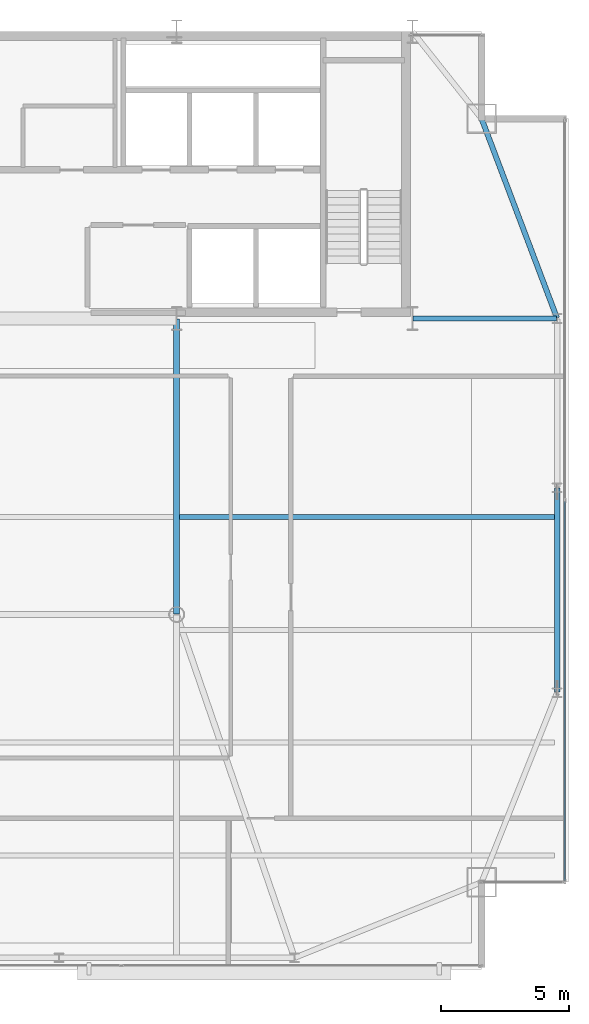
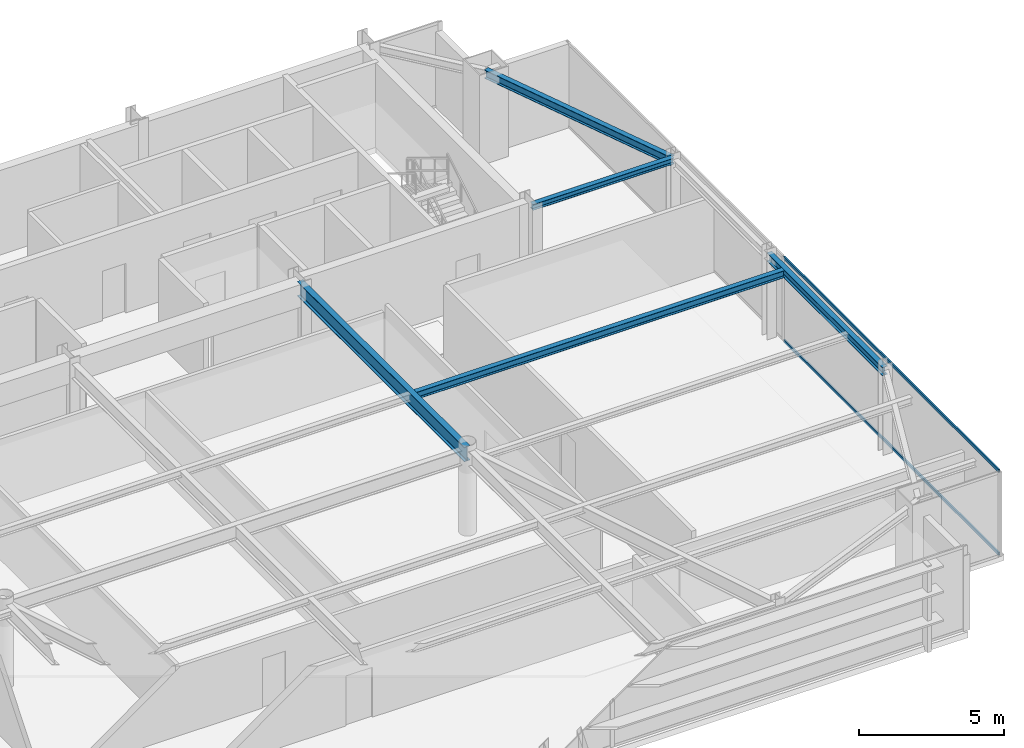
# One storey, part 14 of 25: 5 beams, 2 members, 1 element without a shape of its own.
"""IFC4 building model written with IfcOpenShell, lengths in metres."""

from ifc_helpers import new_model, si_unit, direction, frame, origin, origin_2d, place, context, subcontext, project, spatial, hollow_rectangle, i_section, extrude, source, transform, mapped, material, layer, layer_set, material_profile, profile_set, type_object, type_shapes, element, aggregate, save


model = new_model("IFC4")

# Units and contexts
model_context = context("Model", 3, precision=1e-05, world=origin(), true_north=direction((0.0, 1.0)))
body_context = subcontext(model_context, "Body", "Model", "MODEL_VIEW")
ifc_project = project(units=[si_unit("LENGTHUNIT", "METRE"), si_unit("AREAUNIT", "SQUARE_METRE"), si_unit("VOLUMEUNIT", "CUBIC_METRE"), si_unit("PLANEANGLEUNIT", "RADIAN"), si_unit("MASSUNIT", "GRAM", prefix="KILO")], contexts=[model_context])

# Site, building, storey
site_placement = place(None, origin())
site = spatial("IfcSite", under=ifc_project, at=site_placement, CompositionType="ELEMENT")
building_placement = place(site_placement, origin())
building = spatial("IfcBuilding", under=site, at=building_placement, Name="Varnel Quay Broadcast Tower", CompositionType="ELEMENT")
storey_placement = place(building_placement, frame((0.0, 0.0, 226.39990234375)))
storey = spatial("IfcBuildingStorey", under=building, at=storey_placement, Name="L56", CompositionType="ELEMENT", Elevation=226.39990234375)

# Beams
ifc_material_1 = material(Name="Structural Steel CSA G40.21 350W", Category="steel")
ifc_material_profile_1 = material_profile(ifc_material_1, i_section(OverallWidth=0.205078125, OverallDepth=0.35400390625, WebThickness=0.009521484375, FlangeThickness=0.016845703125, FilletRadius=0.012939453125, at=origin_2d()), Name="W360X79")
ifc_profile_set_1 = profile_set([ifc_material_profile_1], Name="Structural Steel CSA G40.21 350W")
beam_type_1 = type_object("IfcBeamType", Name="Beam_W360X79", PredefinedType="SPANDREL", material=ifc_profile_set_1)
shared_shape_1 = source(origin(), body_context, "Body", "SweptSolid", [
    extrude(i_section(OverallWidth=0.205078125, OverallDepth=0.35400390625, WebThickness=0.009521484375, FlangeThickness=0.016845703125, FilletRadius=0.012939453125, at=origin_2d()), origin(), (0.0, 0.0, 1.0), 7.9599609375),
])
beam_1_placement = place(storey_placement, frame((58.050048828125, 21.02001953125, 3.373046875), z_axis=(0.0, 1.0, 0.0), x_axis=(-1.0, 0.0, 0.0)))
element("IfcBeam", 1, at=beam_1_placement, inside=storey, type_object=beam_type_1, Name="L56 East Spandrel TC-E1-TC-E2", PredefinedType="SPANDREL", context=body_context, shape_type="MappedRepresentation", body=[
    mapped(shared_shape_1, transform((0.0, 0.0, 0.0), x_axis=(1.0, 0.0, 0.0), y_axis=(0.0, 1.0, 0.0), z_axis=(0.0, 0.0, 1.0), scale=1.0)),
])
shared_shape_2 = source(origin(), body_context, "Body", "SweptSolid", [
    extrude(i_section(OverallWidth=0.205078125, OverallDepth=0.35400390625, WebThickness=0.009521484375, FlangeThickness=0.016845703125, FilletRadius=0.012939453125, at=origin_2d()), origin(), (0.0, 0.0, 1.0), 8.29931640625),
])
type_shapes(beam_type_1, [shared_shape_1, shared_shape_2])
beam_2_placement = place(storey_placement, frame((58.04296875, 35.61865234375, 3.373046875), z_axis=(-0.353739782058, 0.935343876117, 0.0), x_axis=(-0.935343876117, -0.353739782058, 0.0)))
element("IfcBeam", 2, at=beam_2_placement, inside=storey, type_object=beam_type_1, Name="L56 East Spandrel TC-E3-MC-NE", PredefinedType="SPANDREL", context=body_context, shape_type="MappedRepresentation", body=[
    mapped(shared_shape_2, transform((0.0, 0.0, 0.0), x_axis=(1.0, 0.0, 0.0), y_axis=(0.0, 1.0, 0.0), z_axis=(0.0, 0.0, 1.0), scale=1.0)),
])
ifc_material_profile_2 = material_profile(ifc_material_1, i_section(OverallWidth=0.22998046875, OverallDepth=0.616943359375, WebThickness=0.01318359375, FlangeThickness=0.022216796875, FilletRadius=0.01611328125, at=origin_2d()), Name="W610X140")
ifc_profile_set_2 = profile_set([ifc_material_profile_2], Name="Structural Steel CSA G40.21 350W")
beam_type_2 = type_object("IfcBeamType", Name="Girder_W610X140", PredefinedType="BEAM", material=ifc_profile_set_2)
shared_shape_3 = source(origin(), body_context, "Body", "SweptSolid", [
    extrude(i_section(OverallWidth=0.22998046875, OverallDepth=0.616943359375, WebThickness=0.01318359375, FlangeThickness=0.022216796875, FilletRadius=0.01611328125, at=origin_2d()), origin(), (0.0, 0.0, 1.0), 11.510009765625),
])
type_shapes(beam_type_2, [shared_shape_3])
beam_3_placement = place(storey_placement, frame((43.199951171875, 24.070068359375, 3.24169921875), z_axis=(0.0, 1.0, 0.0), x_axis=(-1.0, 0.0, 0.0)))
element("IfcBeam", 3, at=beam_3_placement, inside=storey, type_object=beam_type_2, Name="L56 Primary Girder IC-02-CC-S4", PredefinedType="BEAM", context=body_context, shape_type="MappedRepresentation", body=[
    mapped(shared_shape_3, transform((0.0, 0.0, 0.0), x_axis=(1.0, 0.0, 0.0), y_axis=(0.0, 1.0, 0.0), z_axis=(0.0, 0.0, 1.0), scale=1.0)),
])
ifc_material_profile_3 = material_profile(ifc_material_1, i_section(OverallWidth=0.201904296875, OverallDepth=0.2470703125, WebThickness=0.00732421875, FlangeThickness=0.010986328125, FilletRadius=0.010986328125, at=origin_2d()), Name="W250X49")
ifc_profile_set_3 = profile_set([ifc_material_profile_3], Name="Structural Steel CSA G40.21 350W")
beam_type_3 = type_object("IfcBeamType", Name="Beam_W250X49", PredefinedType="JOIST", material=ifc_profile_set_3)
shared_shape_4 = source(origin(), body_context, "Body", "SweptSolid", [
    extrude(i_section(OverallWidth=0.201904296875, OverallDepth=0.2470703125, WebThickness=0.00732421875, FlangeThickness=0.010986328125, FilletRadius=0.010986328125, at=origin_2d()), origin(), (0.0, 0.0, 1.0), 5.610107421875),
])
type_shapes(beam_type_3, [shared_shape_4])
beam_4_placement = place(storey_placement, frame((52.419921875, 35.60009765625, 3.426513671875), z_axis=(1.0, 0.0, 0.0), x_axis=(0.0, 1.0, 0.0)))
element("IfcBeam", 4, at=beam_4_placement, inside=storey, type_object=beam_type_3, Name="L56 East Core Tie Joist", PredefinedType="JOIST", context=body_context, shape_type="MappedRepresentation", body=[
    mapped(shared_shape_4, transform((0.0, 0.0, 0.0), x_axis=(1.0, 0.0, 0.0), y_axis=(0.0, 1.0, 0.0), z_axis=(0.0, 0.0, 1.0), scale=1.0)),
])
ifc_material_profile_4 = material_profile(ifc_material_1, i_section(OverallWidth=0.202880859375, OverallDepth=0.302978515625, WebThickness=0.007568359375, FlangeThickness=0.01318359375, FilletRadius=0.011962890625, at=origin_2d()), Name="W310X60")
ifc_profile_set_4 = profile_set([ifc_material_profile_4], Name="Structural Steel CSA G40.21 350W")
beam_type_4 = type_object("IfcBeamType", Name="Beam_W310X60", PredefinedType="JOIST", material=ifc_profile_set_4)
shared_shape_5 = source(origin(), body_context, "Body", "SweptSolid", [
    extrude(i_section(OverallWidth=0.202880859375, OverallDepth=0.302978515625, WebThickness=0.007568359375, FlangeThickness=0.01318359375, FilletRadius=0.011962890625, at=origin_2d()), origin(), (0.0, 0.0, 1.0), 14.642333984375),
])
type_shapes(beam_type_4, [shared_shape_5])
beam_5_placement = place(storey_placement, frame((43.31005859375, 27.85009765625, 3.398681640625), z_axis=(1.0, 0.0, 0.0), x_axis=(0.0, 1.0, 0.0)))
element("IfcBeam", 5, at=beam_5_placement, inside=storey, type_object=beam_type_4, Name="L56 East Floor Joist 4", PredefinedType="JOIST", context=body_context, shape_type="MappedRepresentation", body=[
    mapped(shared_shape_5, transform((0.0, 0.0, 0.0), x_axis=(1.0, 0.0, 0.0), y_axis=(0.0, 1.0, 0.0), z_axis=(0.0, 0.0, 1.0), scale=1.0)),
])

# Curtain wall, members
ifc_material_2 = material(Name="Anodised Bronze Aluminium 6063-T6", Category="aluminium")
ifc_layer = layer(ifc_material_2, 0.18994140625, Name="Anodised Bronze Aluminium 6063-T6")
ifc_layer_set = layer_set([ifc_layer], Name="Anodised Bronze Aluminium 6063-T6")
curtain_wall_type = type_object("IfcCurtainWallType", Name="CW_UpperTower", PredefinedType="NOTDEFINED", material=ifc_layer_set)
curtain_wall_placement = place(storey_placement, origin())
curtain_wall = element("IfcCurtainWall", 6, at=curtain_wall_placement, inside=storey, type_object=curtain_wall_type, Name="L56 East Unitised Curtain Wall", PredefinedType="NOTDEFINED")
ifc_material_profile_5 = material_profile(ifc_material_2, hollow_rectangle(XDim=0.06005859375, YDim=0.125, WallThickness=0.0029296875, at=origin_2d()), Name="ALU60X125X3")
ifc_profile_set_5 = profile_set([ifc_material_profile_5], Name="Anodised Bronze Aluminium 6063-T6")
member_type = type_object("IfcMemberType", Name="Tran_CWS-03", PredefinedType="USERDEFINED", material=ifc_profile_set_5)
shared_shape_6 = source(origin(), body_context, "Body", "SweptSolid", [
    extrude(hollow_rectangle(XDim=0.06005859375, YDim=0.125, WallThickness=0.0029296875, at=origin_2d()), origin(), (0.0, 0.0, 1.0), 14.802490234375),
])
type_shapes(member_type, [shared_shape_6])
member_1_placement = place(storey_placement, frame((58.35009765625, 13.6650390625, 0.030029296875), z_axis=(0.0, 1.0, 0.0), x_axis=(-1.0, 0.0, 0.0)))
member_1 = element("IfcMember", 7, at=member_1_placement, type_object=member_type, Name="CWS-03 transom 1.1", ObjectType="TRANSOM", PredefinedType="USERDEFINED", context=body_context, shape_type="MappedRepresentation", body=[
    mapped(shared_shape_6, transform((0.0, 0.0, 0.0), x_axis=(1.0, 0.0, 0.0), y_axis=(0.0, 1.0, 0.0), z_axis=(0.0, 0.0, 1.0), scale=1.0)),
])
member_2_placement = place(storey_placement, frame((58.35009765625, 13.6650390625, 3.52001953125), z_axis=(0.0, 1.0, 0.0), x_axis=(-1.0, 0.0, 0.0)))
member_2 = element("IfcMember", 8, at=member_2_placement, type_object=member_type, Name="CWS-03 transom 1.2", ObjectType="TRANSOM", PredefinedType="USERDEFINED", context=body_context, shape_type="MappedRepresentation", body=[
    mapped(shared_shape_6, transform((0.0, 0.0, 0.0), x_axis=(1.0, 0.0, 0.0), y_axis=(0.0, 1.0, 0.0), z_axis=(0.0, 0.0, 1.0), scale=1.0)),
])
aggregate(curtain_wall, [member_1, member_2])

save(model, "model.ifc")
